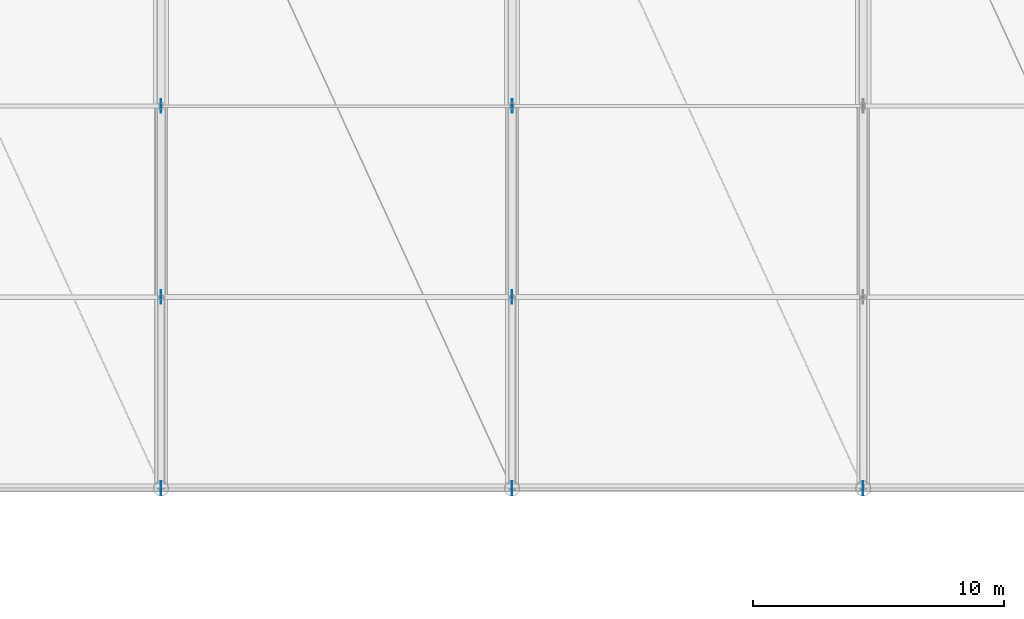
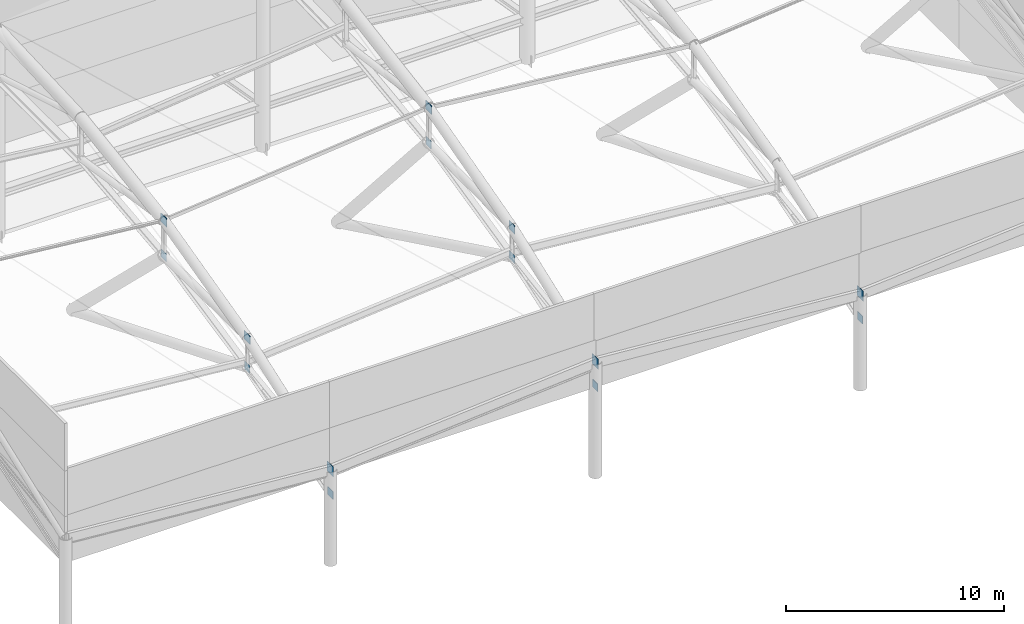
# One storey, part 84 of 113: 14 plates.
"""IFC4 building model written with IfcOpenShell, lengths in metres."""

from ifc_helpers import new_model, si_unit, direction, frame, origin, origin_2d, place, context, subcontext, project, spatial, rectangle, extrude, material, layer, layer_set, type_object, element, save


model = new_model("IFC4")

# Units and contexts
model_context = context("Model", 3, precision=1e-05, world=origin(), true_north=direction((0.0, 1.0)))
body_context = subcontext(model_context, "Body", "Model", "MODEL_VIEW")
ifc_project = project(units=[si_unit("LENGTHUNIT", "METRE"), si_unit("AREAUNIT", "SQUARE_METRE"), si_unit("VOLUMEUNIT", "CUBIC_METRE"), si_unit("PLANEANGLEUNIT", "RADIAN"), si_unit("MASSUNIT", "GRAM", prefix="KILO")], contexts=[model_context])

# Site, building, storey
site_placement = place(None, origin())
site = spatial("IfcSite", under=ifc_project, at=site_placement, CompositionType="ELEMENT")
building_placement = place(site_placement, origin())
building = spatial("IfcBuilding", under=site, at=building_placement, Name="Linyun Crest Stadium", CompositionType="ELEMENT")
storey_placement = place(building_placement, frame((0.0, 0.0, 26.39990234375)))
storey = spatial("IfcBuildingStorey", under=building, at=storey_placement, Name="L06", CompositionType="ELEMENT", Elevation=26.39990234375)

# Plates
ifc_material_1 = material(Name="Steel Q355C", Category="steel")
ifc_layer_1 = layer(ifc_material_1, 0.02001953125)
ifc_layer_set_1 = layer_set([ifc_layer_1], Name="Steel Q355C")
plate_type_1 = type_object("IfcPlateType", Name="EP01", PredefinedType="USERDEFINED", material=ifc_layer_set_1)
for number, where, z_axis, x_axis, name in (
    (1, (-14.0, 61.0, 4.968017578125), (0.0, 0.0, 1.0), (0.0, 1.0, 0.0), "Canopy tip tube end plate EP01 227"),
    (2, (0.0, 61.0, 6.072998046875), (0.0, 0.0, 1.0), (0.0, 1.0, 0.0), "Canopy tip tube end plate EP01 240"),
    (3, (14.0, 61.0, 4.968017578125), (0.0, 0.0, 1.0), (0.0, 1.0, 0.0), "Canopy tip tube end plate EP01 253"),
):
    element("IfcPlate", number, at=place(storey_placement, frame(where, z_axis=z_axis, x_axis=x_axis)), inside=storey, type_object=plate_type_1, Name=name, ObjectType="END PLATE", PredefinedType="USERDEFINED", context=body_context, shape_type="SweptSolid", body=[
        extrude(rectangle(XDim=0.56005859375, YDim=0.02001953125, at=origin_2d()), origin(), (0.0, 0.0, 1.0), 0.56005859375),
    ])
ifc_material_2 = material(Name="Steel Q355C", Category="steel")
ifc_layer_2 = layer(ifc_material_2, 0.02392578125)
ifc_layer_set_2 = layer_set([ifc_layer_2], Name="Steel Q355C")
plate_type_2 = type_object("IfcPlateType", Name="NP01", PredefinedType="USERDEFINED", material=ifc_layer_set_2)
plate_1_placement = place(storey_placement, frame((-14.0, 68.625, 7.734130859375), z_axis=(0.0, 0.0, 1.0), x_axis=(0.0, 1.0, 0.0)))
element("IfcPlate", 4, at=plate_1_placement, inside=storey, type_object=plate_type_2, Name="Roof truss node gusset plate NP01 226", ObjectType="GUSSET PLATE", PredefinedType="USERDEFINED", context=body_context, shape_type="SweptSolid", body=[
    extrude(rectangle(XDim=0.5400390625, YDim=0.02392578125, at=origin_2d()), origin(), (0.0, 0.0, 1.0), 0.47998046875),
])
for number, where, z_axis, x_axis, name in (
    (5, (-14.0, 76.25, 7.703125), (0.0, 0.0, 1.0), (0.0, 1.0, 0.0), "Roof bottom-chord node gusset plate NP01 231"),
    (6, (-14.0, 68.625, 6.090087890625), (0.0, 0.0, 1.0), (0.0, 1.0, 0.0), "Roof bottom-chord node gusset plate NP01 232"),
    (7, (-14.0, 61.0, 3.676025390625), (0.0, 0.0, 1.0), (0.0, 1.0, 0.0), "Roof bottom-chord node gusset plate NP01 233"),
):
    element("IfcPlate", number, at=place(storey_placement, frame(where, z_axis=z_axis, x_axis=x_axis)), inside=storey, type_object=plate_type_2, Name=name, ObjectType="GUSSET PLATE", PredefinedType="USERDEFINED", context=body_context, shape_type="SweptSolid", body=[
        extrude(rectangle(XDim=0.47998046875, YDim=0.02392578125, at=origin_2d()), origin(), (0.0, 0.0, 1.0), 0.43994140625),
    ])
plate_2_placement = place(storey_placement, frame((0.0, 68.625, 8.987060546875), z_axis=(0.0, 0.0, 1.0), x_axis=(0.0, 1.0, 0.0)))
element("IfcPlate", 8, at=plate_2_placement, inside=storey, type_object=plate_type_2, Name="Roof truss node gusset plate NP01 239", ObjectType="GUSSET PLATE", PredefinedType="USERDEFINED", context=body_context, shape_type="SweptSolid", body=[
    extrude(rectangle(XDim=0.5400390625, YDim=0.02392578125, at=origin_2d()), origin(), (0.0, 0.0, 1.0), 0.47998046875),
])
for number, where, z_axis, x_axis, name in (
    (9, (0.0, 76.25, 9.106201171875), (0.0, 0.0, 1.0), (0.0, 1.0, 0.0), "Roof bottom-chord node gusset plate NP01 244"),
    (10, (0.0, 68.625, 7.343017578125), (0.0, 0.0, 1.0), (0.0, 1.0, 0.0), "Roof bottom-chord node gusset plate NP01 245"),
    (11, (0.0, 61.0, 4.781005859375), (0.0, 0.0, 1.0), (0.0, 1.0, 0.0), "Roof bottom-chord node gusset plate NP01 246"),
    (12, (14.0, 61.0, 3.676025390625), (0.0, 0.0, 1.0), (0.0, 1.0, 0.0), "Roof bottom-chord node gusset plate NP01 259"),
):
    element("IfcPlate", number, at=place(storey_placement, frame(where, z_axis=z_axis, x_axis=x_axis)), inside=storey, type_object=plate_type_2, Name=name, ObjectType="GUSSET PLATE", PredefinedType="USERDEFINED", context=body_context, shape_type="SweptSolid", body=[
        extrude(rectangle(XDim=0.47998046875, YDim=0.02392578125, at=origin_2d()), origin(), (0.0, 0.0, 1.0), 0.43994140625),
    ])
ifc_material_3 = material(Name="Steel Q420C", Category="steel")
ifc_layer_3 = layer(ifc_material_3, 0.035888671875)
ifc_layer_set_3 = layer_set([ifc_layer_3], Name="Steel Q420C")
plate_type_3 = type_object("IfcPlateType", Name="NP04", PredefinedType="USERDEFINED", material=ifc_layer_set_3)
for number, where, z_axis, x_axis, name in (
    (13, (-14.0, 76.25, 9.6591796875), (0.0, 0.0, 1.0), (0.0, 1.0, 0.0), "Roof truss node gusset plate NP04 225"),
    (14, (0.0, 76.25, 11.06201171875), (0.0, 0.0, 1.0), (0.0, 1.0, 0.0), "Roof truss node gusset plate NP04 238"),
):
    element("IfcPlate", number, at=place(storey_placement, frame(where, z_axis=z_axis, x_axis=x_axis)), inside=storey, type_object=plate_type_3, Name=name, ObjectType="GUSSET PLATE", PredefinedType="USERDEFINED", context=body_context, shape_type="SweptSolid", body=[
        extrude(rectangle(XDim=0.5400390625, YDim=0.035888671875, at=origin_2d()), origin(), (0.0, 0.0, 1.0), 0.47998046875),
    ])

save(model, "model.ifc")
